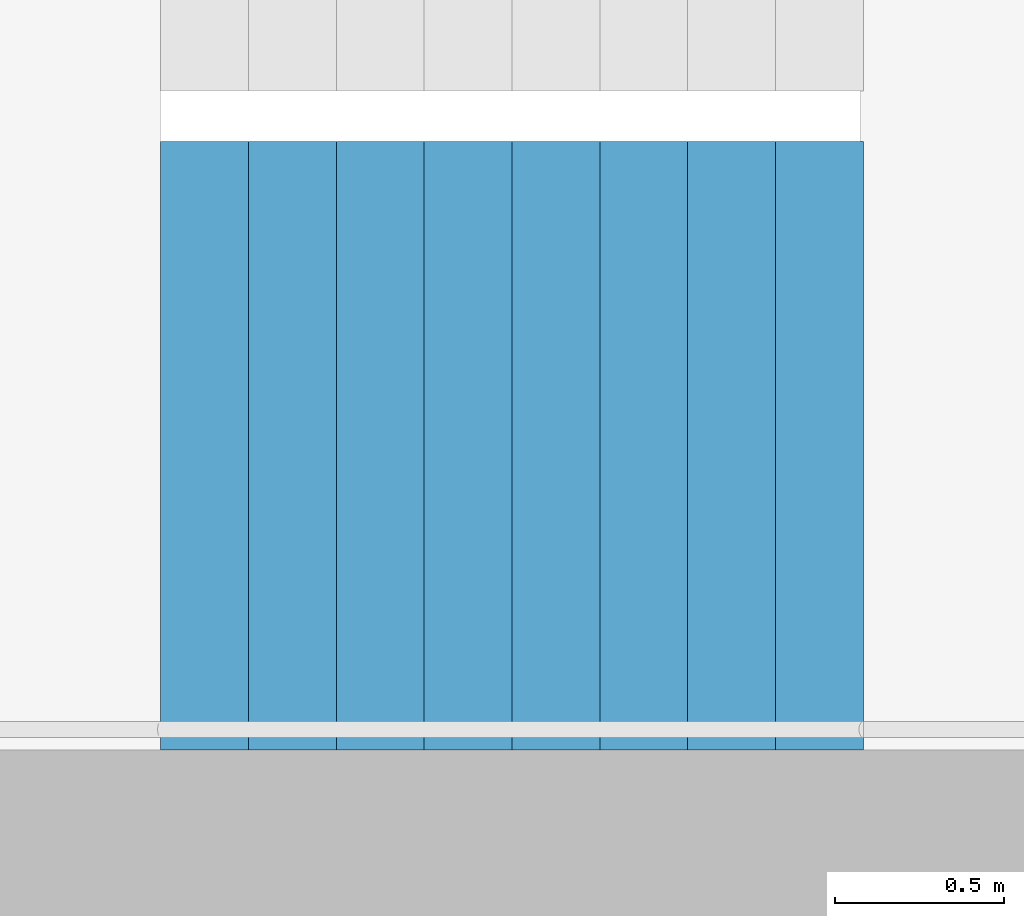
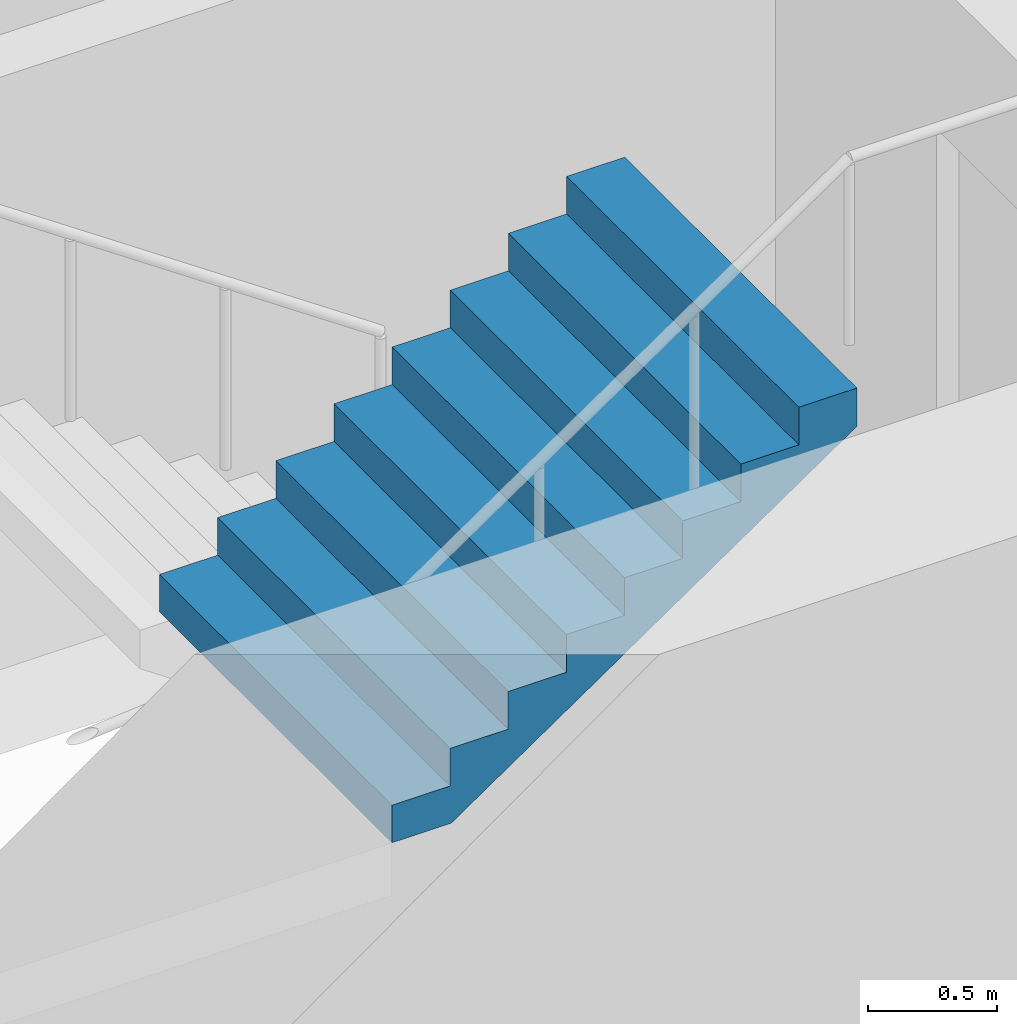
# One storey, part 21 of 29: 1 stair flight, 1 element without a shape of its own.
"""IFC4 building model written with IfcOpenShell, lengths in metres."""

from ifc_helpers import new_model, si_unit, direction, frame, origin, place, context, subcontext, project, spatial, triangles, material, type_object, element, aggregate, save


model = new_model("IFC4")

# Units and contexts
model_context = context("Model", 3, precision=1e-05, world=origin(), true_north=direction((0.0, 1.0)))
body_context = subcontext(model_context, "Body", "Model", "MODEL_VIEW")
ifc_project = project(units=[si_unit("LENGTHUNIT", "METRE"), si_unit("AREAUNIT", "SQUARE_METRE"), si_unit("VOLUMEUNIT", "CUBIC_METRE"), si_unit("PLANEANGLEUNIT", "RADIAN"), si_unit("MASSUNIT", "GRAM", prefix="KILO")], contexts=[model_context])

# Site, building, storey
site_placement = place(None, origin())
site = spatial("IfcSite", under=ifc_project, at=site_placement, CompositionType="ELEMENT")
building_placement = place(site_placement, origin())
building = spatial("IfcBuilding", under=site, at=building_placement, Name="Hakoniwa Tower and Hamabe Station Hall", CompositionType="ELEMENT")
storey_placement = place(building_placement, frame((0.0, 0.0, 113.800048828125)))
storey = spatial("IfcBuildingStorey", under=building, at=storey_placement, Name="L32", CompositionType="ELEMENT", Elevation=113.800048828125)

# Stair, stair flight
ifc_material_1 = material(Name="Concrete C40", Category="concrete")
stair_type = type_object("IfcStairType", Name="ESCAPE STAIR 1800", PredefinedType="HALF_TURN_STAIR", material=ifc_material_1)
stair_placement = place(storey_placement, origin())
stair = element("IfcStair", 1, at=stair_placement, inside=storey, type_object=stair_type, Name="Escape stair ST-2 L32", PredefinedType="HALF_TURN_STAIR")
ifc_material_2 = material(Name="Concrete C40", Category="concrete")
stair_flight_type = type_object("IfcStairFlightType", Name="STAIR FLIGHT 1800", PredefinedType="STRAIGHT", material=ifc_material_2)
stair_flight_placement = place(storey_placement, frame((-25.47998046875, -6.60009765625, 1.599853515625), z_axis=(0.0, 0.0, 1.0), x_axis=(1.0, 0.0, 0.0)))
stair_flight = element("IfcStairFlight", 2, at=stair_flight_placement, type_object=stair_flight_type, Name="ST-2 flight 2", NumberOfRisers=9, NumberOfTreads=8, PredefinedType="STRAIGHT", RiserHeight=0.177777778, TreadLength=0.26, context=body_context, shape_type="Tessellation", body=[
    triangles([(0.0, 0.89990234375, 0.0), (0.260009765625, 0.89990234375, 0.0), (0.265625, 0.89990234375, 0.0), (0.52001953125, 0.89990234375, 0.174072265625), (0.780029296875, 0.89990234375, 0.351806640625), (1.0400390625, 0.89990234375, 0.529541015625), (1.300048828125, 0.89990234375, 0.707275390625), (1.56005859375, 0.89990234375, 0.885009765625), (1.820068359375, 0.89990234375, 1.062744140625), (2.080078125, 0.89990234375, 1.24072265625), (2.080078125, 0.89990234375, 1.422119140625), (1.820068359375, 0.89990234375, 1.422119140625), (1.820068359375, 0.89990234375, 1.244384765625), (1.56005859375, 0.89990234375, 1.244384765625), (1.56005859375, 0.89990234375, 1.066650390625), (1.300048828125, 0.89990234375, 1.066650390625), (1.300048828125, 0.89990234375, 0.888916015625), (1.0400390625, 0.89990234375, 0.888916015625), (1.0400390625, 0.89990234375, 0.711181640625), (0.780029296875, 0.89990234375, 0.711181640625), (0.780029296875, 0.89990234375, 0.533447265625), (0.52001953125, 0.89990234375, 0.533447265625), (0.52001953125, 0.89990234375, 0.35546875), (0.265625, 0.89990234375, 0.35546875), (0.260009765625, 0.89990234375, 0.35546875), (0.260009765625, 0.89990234375, 0.177734375), (0.0, 0.89990234375, 0.177734375), (0.0, 0.06005859375, 0.0), (0.260009765625, 0.06005859375, 0.0), (0.265625, 0.06005859375, 0.0), (0.52001953125, 0.06005859375, 0.174072265625), (0.780029296875, 0.06005859375, 0.351806640625), (1.0400390625, 0.06005859375, 0.529541015625), (1.300048828125, 0.06005859375, 0.707275390625), (1.56005859375, 0.06005859375, 0.885009765625), (1.820068359375, 0.06005859375, 1.062744140625), (2.080078125, 0.06005859375, 1.24072265625), (2.080078125, 0.06005859375, 1.422119140625), (1.820068359375, 0.06005859375, 1.422119140625), (1.820068359375, 0.06005859375, 1.244384765625), (1.56005859375, 0.06005859375, 1.244384765625), (1.56005859375, 0.06005859375, 1.066650390625), (1.300048828125, 0.06005859375, 1.066650390625), (1.300048828125, 0.06005859375, 0.888916015625), (1.0400390625, 0.06005859375, 0.888916015625), (1.0400390625, 0.06005859375, 0.711181640625), (0.780029296875, 0.06005859375, 0.711181640625), (0.780029296875, 0.06005859375, 0.533447265625), (0.52001953125, 0.06005859375, 0.533447265625), (0.52001953125, 0.06005859375, 0.35546875), (0.265625, 0.06005859375, 0.35546875), (0.260009765625, 0.06005859375, 0.35546875), (0.260009765625, 0.06005859375, 0.177734375), (0.0, 0.06005859375, 0.177734375), (0.0, 0.04296875, 0.0), (0.260009765625, 0.04296875, 0.0), (0.265625, 0.04296875, 0.0), (0.52001953125, 0.04296875, 0.174072265625), (0.780029296875, 0.04296875, 0.351806640625), (1.0400390625, 0.04296875, 0.529541015625), (1.300048828125, 0.04296875, 0.707275390625), (1.56005859375, 0.04296875, 0.885009765625), (1.820068359375, 0.04296875, 1.062744140625), (2.080078125, 0.04296875, 1.24072265625), (2.080078125, 0.04296875, 1.422119140625), (1.820068359375, 0.04296875, 1.422119140625), (1.820068359375, 0.04296875, 1.244384765625), (1.56005859375, 0.04296875, 1.244384765625), (1.56005859375, 0.04296875, 1.066650390625), (1.300048828125, 0.04296875, 1.066650390625), (1.300048828125, 0.04296875, 0.888916015625), (1.0400390625, 0.04296875, 0.888916015625), (1.0400390625, 0.04296875, 0.711181640625), (0.780029296875, 0.04296875, 0.711181640625), (0.780029296875, 0.04296875, 0.533447265625), (0.52001953125, 0.04296875, 0.533447265625), (0.52001953125, 0.04296875, 0.35546875), (0.265625, 0.04296875, 0.35546875), (0.260009765625, 0.04296875, 0.35546875), (0.260009765625, 0.04296875, 0.177734375), (0.0, 0.04296875, 0.177734375), (0.0, 0.025634765625, 0.0), (0.260009765625, 0.025634765625, 0.0), (0.265625, 0.025634765625, 0.0), (0.52001953125, 0.025634765625, 0.174072265625), (0.780029296875, 0.025634765625, 0.351806640625), (1.0400390625, 0.025634765625, 0.529541015625), (1.300048828125, 0.025634765625, 0.707275390625), (1.56005859375, 0.025634765625, 0.885009765625), (1.820068359375, 0.025634765625, 1.062744140625), (2.080078125, 0.025634765625, 1.24072265625), (2.080078125, 0.025634765625, 1.422119140625), (1.820068359375, 0.025634765625, 1.422119140625), (1.820068359375, 0.025634765625, 1.244384765625), (1.56005859375, 0.025634765625, 1.244384765625), (1.56005859375, 0.025634765625, 1.066650390625), (1.300048828125, 0.025634765625, 1.066650390625), (1.300048828125, 0.025634765625, 0.888916015625), (1.0400390625, 0.025634765625, 0.888916015625), (1.0400390625, 0.025634765625, 0.711181640625), (0.780029296875, 0.025634765625, 0.711181640625), (0.780029296875, 0.025634765625, 0.533447265625), (0.52001953125, 0.025634765625, 0.533447265625), (0.52001953125, 0.025634765625, 0.35546875), (0.265625, 0.025634765625, 0.35546875), (0.260009765625, 0.025634765625, 0.35546875), (0.260009765625, 0.025634765625, 0.177734375), (0.0, 0.025634765625, 0.177734375), (0.0, 0.008544921875, 0.0), (0.260009765625, 0.008544921875, 0.0), (0.265625, 0.008544921875, 0.0), (0.52001953125, 0.008544921875, 0.174072265625), (0.780029296875, 0.008544921875, 0.351806640625), (1.0400390625, 0.008544921875, 0.529541015625), (1.300048828125, 0.008544921875, 0.707275390625), (1.56005859375, 0.008544921875, 0.885009765625), (1.820068359375, 0.008544921875, 1.062744140625), (2.080078125, 0.008544921875, 1.24072265625), (2.080078125, 0.008544921875, 1.422119140625), (1.820068359375, 0.008544921875, 1.422119140625), (1.820068359375, 0.008544921875, 1.244384765625), (1.56005859375, 0.008544921875, 1.244384765625), (1.56005859375, 0.008544921875, 1.066650390625), (1.300048828125, 0.008544921875, 1.066650390625), (1.300048828125, 0.008544921875, 0.888916015625), (1.0400390625, 0.008544921875, 0.888916015625), (1.0400390625, 0.008544921875, 0.711181640625), (0.780029296875, 0.008544921875, 0.711181640625), (0.780029296875, 0.008544921875, 0.533447265625), (0.52001953125, 0.008544921875, 0.533447265625), (0.52001953125, 0.008544921875, 0.35546875), (0.265625, 0.008544921875, 0.35546875), (0.260009765625, 0.008544921875, 0.35546875), (0.260009765625, 0.008544921875, 0.177734375), (0.0, 0.008544921875, 0.177734375), (0.0, -0.008544921875, 0.0), (0.260009765625, -0.008544921875, 0.0), (0.265625, -0.008544921875, 0.0), (0.52001953125, -0.008544921875, 0.174072265625), (0.780029296875, -0.008544921875, 0.351806640625), (1.0400390625, -0.008544921875, 0.529541015625), (1.300048828125, -0.008544921875, 0.707275390625), (1.56005859375, -0.008544921875, 0.885009765625), (1.820068359375, -0.008544921875, 1.062744140625), (2.080078125, -0.008544921875, 1.24072265625), (2.080078125, -0.008544921875, 1.422119140625), (1.820068359375, -0.008544921875, 1.422119140625), (1.820068359375, -0.008544921875, 1.244384765625), (1.56005859375, -0.008544921875, 1.244384765625), (1.56005859375, -0.008544921875, 1.066650390625), (1.300048828125, -0.008544921875, 1.066650390625), (1.300048828125, -0.008544921875, 0.888916015625), (1.0400390625, -0.008544921875, 0.888916015625), (1.0400390625, -0.008544921875, 0.711181640625), (0.780029296875, -0.008544921875, 0.711181640625), (0.780029296875, -0.008544921875, 0.533447265625), (0.52001953125, -0.008544921875, 0.533447265625), (0.52001953125, -0.008544921875, 0.35546875), (0.265625, -0.008544921875, 0.35546875), (0.260009765625, -0.008544921875, 0.35546875), (0.260009765625, -0.008544921875, 0.177734375), (0.0, -0.008544921875, 0.177734375), (0.0, -0.025634765625, 0.0), (0.260009765625, -0.025634765625, 0.0), (0.265625, -0.025634765625, 0.0), (0.52001953125, -0.025634765625, 0.174072265625), (0.780029296875, -0.025634765625, 0.351806640625), (1.0400390625, -0.025634765625, 0.529541015625), (1.300048828125, -0.025634765625, 0.707275390625), (1.56005859375, -0.025634765625, 0.885009765625), (1.820068359375, -0.025634765625, 1.062744140625), (2.080078125, -0.025634765625, 1.24072265625), (2.080078125, -0.025634765625, 1.422119140625), (1.820068359375, -0.025634765625, 1.422119140625), (1.820068359375, -0.025634765625, 1.244384765625), (1.56005859375, -0.025634765625, 1.244384765625), (1.56005859375, -0.025634765625, 1.066650390625), (1.300048828125, -0.025634765625, 1.066650390625), (1.300048828125, -0.025634765625, 0.888916015625), (1.0400390625, -0.025634765625, 0.888916015625), (1.0400390625, -0.025634765625, 0.711181640625), (0.780029296875, -0.025634765625, 0.711181640625), (0.780029296875, -0.025634765625, 0.533447265625), (0.52001953125, -0.025634765625, 0.533447265625), (0.52001953125, -0.025634765625, 0.35546875), (0.265625, -0.025634765625, 0.35546875), (0.260009765625, -0.025634765625, 0.35546875), (0.260009765625, -0.025634765625, 0.177734375), (0.0, -0.025634765625, 0.177734375), (0.0, -0.04296875, 0.0), (0.260009765625, -0.04296875, 0.0), (0.265625, -0.04296875, 0.0), (0.52001953125, -0.04296875, 0.174072265625), (0.780029296875, -0.04296875, 0.351806640625), (1.0400390625, -0.04296875, 0.529541015625), (1.300048828125, -0.04296875, 0.707275390625), (1.56005859375, -0.04296875, 0.885009765625), (1.820068359375, -0.04296875, 1.062744140625), (2.080078125, -0.04296875, 1.24072265625), (2.080078125, -0.04296875, 1.422119140625), (1.820068359375, -0.04296875, 1.422119140625), (1.820068359375, -0.04296875, 1.244384765625), (1.56005859375, -0.04296875, 1.244384765625), (1.56005859375, -0.04296875, 1.066650390625), (1.300048828125, -0.04296875, 1.066650390625), (1.300048828125, -0.04296875, 0.888916015625), (1.0400390625, -0.04296875, 0.888916015625), (1.0400390625, -0.04296875, 0.711181640625), (0.780029296875, -0.04296875, 0.711181640625), (0.780029296875, -0.04296875, 0.533447265625), (0.52001953125, -0.04296875, 0.533447265625), (0.52001953125, -0.04296875, 0.35546875), (0.265625, -0.04296875, 0.35546875), (0.260009765625, -0.04296875, 0.35546875), (0.260009765625, -0.04296875, 0.177734375), (0.0, -0.04296875, 0.177734375), (0.0, -0.06005859375, 0.0), (0.260009765625, -0.06005859375, 0.0), (0.265625, -0.06005859375, 0.0), (0.52001953125, -0.06005859375, 0.174072265625), (0.780029296875, -0.06005859375, 0.351806640625), (1.0400390625, -0.06005859375, 0.529541015625), (1.300048828125, -0.06005859375, 0.707275390625), (1.56005859375, -0.06005859375, 0.885009765625), (1.820068359375, -0.06005859375, 1.062744140625), (2.080078125, -0.06005859375, 1.24072265625), (2.080078125, -0.06005859375, 1.422119140625), (1.820068359375, -0.06005859375, 1.422119140625), (1.820068359375, -0.06005859375, 1.244384765625), (1.56005859375, -0.06005859375, 1.244384765625), (1.56005859375, -0.06005859375, 1.066650390625), (1.300048828125, -0.06005859375, 1.066650390625), (1.300048828125, -0.06005859375, 0.888916015625), (1.0400390625, -0.06005859375, 0.888916015625), (1.0400390625, -0.06005859375, 0.711181640625), (0.780029296875, -0.06005859375, 0.711181640625), (0.780029296875, -0.06005859375, 0.533447265625), (0.52001953125, -0.06005859375, 0.533447265625), (0.52001953125, -0.06005859375, 0.35546875), (0.265625, -0.06005859375, 0.35546875), (0.260009765625, -0.06005859375, 0.35546875), (0.260009765625, -0.06005859375, 0.177734375), (0.0, -0.06005859375, 0.177734375), (0.0, -0.89990234375, 0.0), (0.260009765625, -0.89990234375, 0.0), (0.265625, -0.89990234375, 0.0), (0.52001953125, -0.89990234375, 0.174072265625), (0.780029296875, -0.89990234375, 0.351806640625), (1.0400390625, -0.89990234375, 0.529541015625), (1.300048828125, -0.89990234375, 0.707275390625), (1.56005859375, -0.89990234375, 0.885009765625), (1.820068359375, -0.89990234375, 1.062744140625), (2.080078125, -0.89990234375, 1.24072265625), (2.080078125, -0.89990234375, 1.422119140625), (1.820068359375, -0.89990234375, 1.422119140625), (1.820068359375, -0.89990234375, 1.244384765625), (1.56005859375, -0.89990234375, 1.244384765625), (1.56005859375, -0.89990234375, 1.066650390625), (1.300048828125, -0.89990234375, 1.066650390625), (1.300048828125, -0.89990234375, 0.888916015625), (1.0400390625, -0.89990234375, 0.888916015625), (1.0400390625, -0.89990234375, 0.711181640625), (0.780029296875, -0.89990234375, 0.711181640625), (0.780029296875, -0.89990234375, 0.533447265625), (0.52001953125, -0.89990234375, 0.533447265625), (0.52001953125, -0.89990234375, 0.35546875), (0.265625, -0.89990234375, 0.35546875), (0.260009765625, -0.89990234375, 0.35546875), (0.260009765625, -0.89990234375, 0.177734375), (0.0, -0.89990234375, 0.177734375)], [[2, 27, 26], [245, 269, 270], [2, 1, 27], [245, 270, 244], [3, 25, 24], [246, 267, 268], [3, 26, 25], [246, 268, 269], [3, 2, 26], [246, 269, 245], [4, 24, 23], [247, 266, 267], [4, 3, 24], [247, 267, 246], [5, 22, 21], [248, 264, 265], [5, 23, 22], [248, 265, 266], [5, 4, 23], [248, 266, 247], [6, 20, 19], [249, 262, 263], [6, 21, 20], [249, 263, 264], [6, 5, 21], [249, 264, 248], [7, 18, 17], [250, 260, 261], [7, 19, 18], [250, 261, 262], [7, 6, 19], [250, 262, 249], [8, 16, 15], [251, 258, 259], [8, 17, 16], [251, 259, 260], [8, 7, 17], [251, 260, 250], [9, 14, 13], [252, 256, 257], [9, 15, 14], [252, 257, 258], [9, 8, 15], [252, 258, 251], [10, 12, 11], [253, 254, 255], [10, 13, 12], [253, 255, 256], [10, 9, 13], [253, 256, 252], [1, 2, 29], [1, 29, 28], [28, 29, 56], [28, 56, 55], [55, 56, 83], [55, 83, 82], [82, 83, 110], [82, 110, 109], [109, 110, 137], [109, 137, 136], [136, 137, 164], [136, 164, 163], [163, 164, 191], [163, 191, 190], [190, 191, 218], [190, 218, 217], [217, 218, 245], [217, 245, 244], [2, 3, 30], [2, 30, 29], [29, 30, 57], [29, 57, 56], [56, 57, 84], [56, 84, 83], [83, 84, 111], [83, 111, 110], [110, 111, 138], [110, 138, 137], [137, 138, 165], [137, 165, 164], [164, 165, 192], [164, 192, 191], [191, 192, 219], [191, 219, 218], [218, 219, 246], [218, 246, 245], [3, 4, 31], [3, 31, 30], [30, 31, 58], [30, 58, 57], [57, 58, 85], [57, 85, 84], [84, 85, 112], [84, 112, 111], [111, 112, 139], [111, 139, 138], [138, 139, 166], [138, 166, 165], [165, 166, 193], [165, 193, 192], [192, 193, 220], [192, 220, 219], [219, 220, 247], [219, 247, 246], [4, 5, 32], [4, 32, 31], [31, 32, 59], [31, 59, 58], [58, 59, 86], [58, 86, 85], [85, 86, 113], [85, 113, 112], [112, 113, 140], [112, 140, 139], [139, 140, 167], [139, 167, 166], [166, 167, 194], [166, 194, 193], [193, 194, 221], [193, 221, 220], [220, 221, 248], [220, 248, 247], [5, 6, 33], [5, 33, 32], [32, 33, 60], [32, 60, 59], [59, 60, 87], [59, 87, 86], [86, 87, 114], [86, 114, 113], [113, 114, 141], [113, 141, 140], [140, 141, 168], [140, 168, 167], [167, 168, 195], [167, 195, 194], [194, 195, 222], [194, 222, 221], [221, 222, 249], [221, 249, 248], [6, 7, 34], [6, 34, 33], [33, 34, 61], [33, 61, 60], [60, 61, 88], [60, 88, 87], [87, 88, 115], [87, 115, 114], [114, 115, 142], [114, 142, 141], [141, 142, 169], [141, 169, 168], [168, 169, 196], [168, 196, 195], [195, 196, 223], [195, 223, 222], [222, 223, 250], [222, 250, 249], [7, 8, 35], [7, 35, 34], [34, 35, 62], [34, 62, 61], [61, 62, 89], [61, 89, 88], [88, 89, 116], [88, 116, 115], [115, 116, 143], [115, 143, 142], [142, 143, 170], [142, 170, 169], [169, 170, 197], [169, 197, 196], [196, 197, 224], [196, 224, 223], [223, 224, 251], [223, 251, 250], [8, 9, 36], [8, 36, 35], [35, 36, 63], [35, 63, 62], [62, 63, 90], [62, 90, 89], [89, 90, 117], [89, 117, 116], [116, 117, 144], [116, 144, 143], [143, 144, 171], [143, 171, 170], [170, 171, 198], [170, 198, 197], [197, 198, 225], [197, 225, 224], [224, 225, 252], [224, 252, 251], [9, 10, 37], [9, 37, 36], [36, 37, 64], [36, 64, 63], [63, 64, 91], [63, 91, 90], [90, 91, 118], [90, 118, 117], [117, 118, 145], [117, 145, 144], [144, 145, 172], [144, 172, 171], [171, 172, 199], [171, 199, 198], [198, 199, 226], [198, 226, 225], [225, 226, 253], [225, 253, 252], [10, 11, 38], [10, 38, 37], [37, 38, 65], [37, 65, 64], [64, 65, 92], [64, 92, 91], [91, 92, 119], [91, 119, 118], [118, 119, 146], [118, 146, 145], [145, 146, 173], [145, 173, 172], [172, 173, 200], [172, 200, 199], [199, 200, 227], [199, 227, 226], [226, 227, 254], [226, 254, 253], [11, 12, 39], [11, 39, 38], [38, 39, 66], [38, 66, 65], [65, 66, 93], [65, 93, 92], [92, 93, 120], [92, 120, 119], [119, 120, 147], [119, 147, 146], [146, 147, 174], [146, 174, 173], [173, 174, 201], [173, 201, 200], [200, 201, 228], [200, 228, 227], [227, 228, 255], [227, 255, 254], [12, 13, 40], [12, 40, 39], [39, 40, 67], [39, 67, 66], [66, 67, 94], [66, 94, 93], [93, 94, 121], [93, 121, 120], [120, 121, 148], [120, 148, 147], [147, 148, 175], [147, 175, 174], [174, 175, 202], [174, 202, 201], [201, 202, 229], [201, 229, 228], [228, 229, 256], [228, 256, 255], [13, 14, 41], [13, 41, 40], [40, 41, 68], [40, 68, 67], [67, 68, 95], [67, 95, 94], [94, 95, 122], [94, 122, 121], [121, 122, 149], [121, 149, 148], [148, 149, 176], [148, 176, 175], [175, 176, 203], [175, 203, 202], [202, 203, 230], [202, 230, 229], [229, 230, 257], [229, 257, 256], [14, 15, 42], [14, 42, 41], [41, 42, 69], [41, 69, 68], [68, 69, 96], [68, 96, 95], [95, 96, 123], [95, 123, 122], [122, 123, 150], [122, 150, 149], [149, 150, 177], [149, 177, 176], [176, 177, 204], [176, 204, 203], [203, 204, 231], [203, 231, 230], [230, 231, 258], [230, 258, 257], [15, 16, 43], [15, 43, 42], [42, 43, 70], [42, 70, 69], [69, 70, 97], [69, 97, 96], [96, 97, 124], [96, 124, 123], [123, 124, 151], [123, 151, 150], [150, 151, 178], [150, 178, 177], [177, 178, 205], [177, 205, 204], [204, 205, 232], [204, 232, 231], [231, 232, 259], [231, 259, 258], [16, 17, 44], [16, 44, 43], [43, 44, 71], [43, 71, 70], [70, 71, 98], [70, 98, 97], [97, 98, 125], [97, 125, 124], [124, 125, 152], [124, 152, 151], [151, 152, 179], [151, 179, 178], [178, 179, 206], [178, 206, 205], [205, 206, 233], [205, 233, 232], [232, 233, 260], [232, 260, 259], [17, 18, 45], [17, 45, 44], [44, 45, 72], [44, 72, 71], [71, 72, 99], [71, 99, 98], [98, 99, 126], [98, 126, 125], [125, 126, 153], [125, 153, 152], [152, 153, 180], [152, 180, 179], [179, 180, 207], [179, 207, 206], [206, 207, 234], [206, 234, 233], [233, 234, 261], [233, 261, 260], [18, 19, 46], [18, 46, 45], [45, 46, 73], [45, 73, 72], [72, 73, 100], [72, 100, 99], [99, 100, 127], [99, 127, 126], [126, 127, 154], [126, 154, 153], [153, 154, 181], [153, 181, 180], [180, 181, 208], [180, 208, 207], [207, 208, 235], [207, 235, 234], [234, 235, 262], [234, 262, 261], [19, 20, 47], [19, 47, 46], [46, 47, 74], [46, 74, 73], [73, 74, 101], [73, 101, 100], [100, 101, 128], [100, 128, 127], [127, 128, 155], [127, 155, 154], [154, 155, 182], [154, 182, 181], [181, 182, 209], [181, 209, 208], [208, 209, 236], [208, 236, 235], [235, 236, 263], [235, 263, 262], [20, 21, 48], [20, 48, 47], [47, 48, 75], [47, 75, 74], [74, 75, 102], [74, 102, 101], [101, 102, 129], [101, 129, 128], [128, 129, 156], [128, 156, 155], [155, 156, 183], [155, 183, 182], [182, 183, 210], [182, 210, 209], [209, 210, 237], [209, 237, 236], [236, 237, 264], [236, 264, 263], [21, 22, 49], [21, 49, 48], [48, 49, 76], [48, 76, 75], [75, 76, 103], [75, 103, 102], [102, 103, 130], [102, 130, 129], [129, 130, 157], [129, 157, 156], [156, 157, 184], [156, 184, 183], [183, 184, 211], [183, 211, 210], [210, 211, 238], [210, 238, 237], [237, 238, 265], [237, 265, 264], [22, 23, 50], [22, 50, 49], [49, 50, 77], [49, 77, 76], [76, 77, 104], [76, 104, 103], [103, 104, 131], [103, 131, 130], [130, 131, 158], [130, 158, 157], [157, 158, 185], [157, 185, 184], [184, 185, 212], [184, 212, 211], [211, 212, 239], [211, 239, 238], [238, 239, 266], [238, 266, 265], [23, 24, 51], [23, 51, 50], [50, 51, 78], [50, 78, 77], [77, 78, 105], [77, 105, 104], [104, 105, 132], [104, 132, 131], [131, 132, 159], [131, 159, 158], [158, 159, 186], [158, 186, 185], [185, 186, 213], [185, 213, 212], [212, 213, 240], [212, 240, 239], [239, 240, 267], [239, 267, 266], [24, 25, 52], [24, 52, 51], [51, 52, 79], [51, 79, 78], [78, 79, 106], [78, 106, 105], [105, 106, 133], [105, 133, 132], [132, 133, 160], [132, 160, 159], [159, 160, 187], [159, 187, 186], [186, 187, 214], [186, 214, 213], [213, 214, 241], [213, 241, 240], [240, 241, 268], [240, 268, 267], [25, 26, 53], [25, 53, 52], [52, 53, 80], [52, 80, 79], [79, 80, 107], [79, 107, 106], [106, 107, 134], [106, 134, 133], [133, 134, 161], [133, 161, 160], [160, 161, 188], [160, 188, 187], [187, 188, 215], [187, 215, 214], [214, 215, 242], [214, 242, 241], [241, 242, 269], [241, 269, 268], [26, 27, 54], [26, 54, 53], [53, 54, 81], [53, 81, 80], [80, 81, 108], [80, 108, 107], [107, 108, 135], [107, 135, 134], [134, 135, 162], [134, 162, 161], [161, 162, 189], [161, 189, 188], [188, 189, 216], [188, 216, 215], [215, 216, 243], [215, 243, 242], [242, 243, 270], [242, 270, 269], [27, 1, 28], [27, 28, 54], [54, 28, 55], [54, 55, 81], [81, 55, 82], [81, 82, 108], [108, 82, 109], [108, 109, 135], [135, 109, 136], [135, 136, 162], [162, 136, 163], [162, 163, 189], [189, 163, 190], [189, 190, 216], [216, 190, 217], [216, 217, 243], [243, 217, 244], [243, 244, 270]], closed=True),
])
aggregate(stair, [stair_flight])

save(model, "model.ifc")
